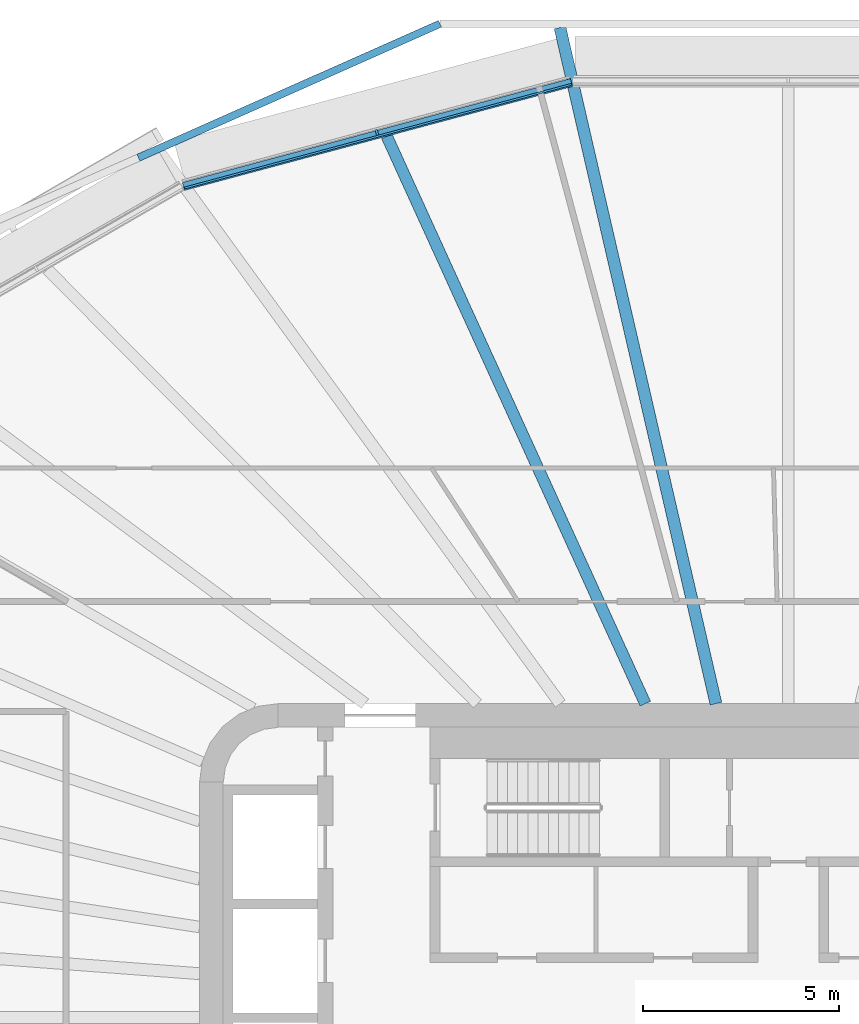
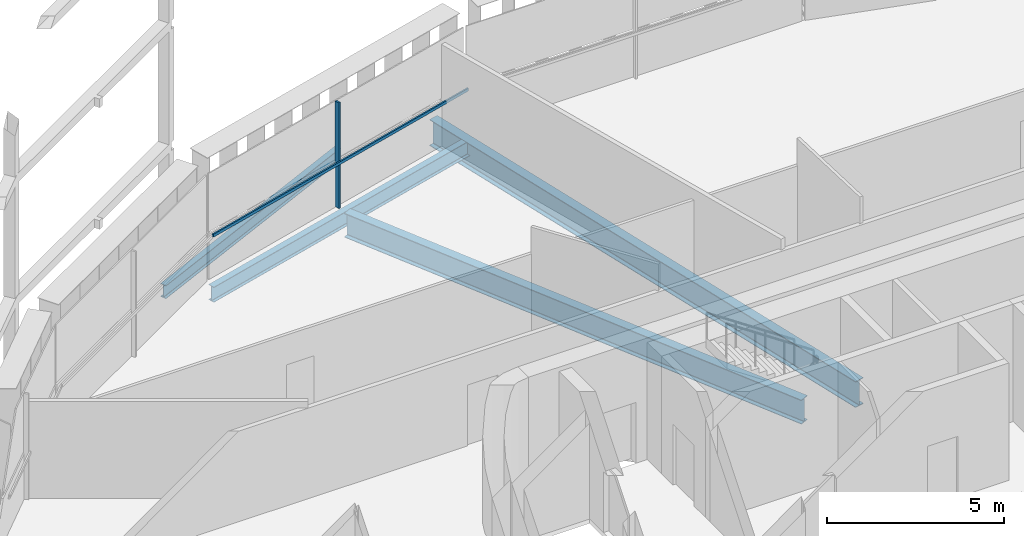
# One storey, part 8 of 26: 4 beams, 2 members, 1 element without a shape of its own.
"""IFC4 building model written with IfcOpenShell, lengths in metres."""

from ifc_helpers import new_model, si_unit, direction, frame, origin, origin_2d, place, context, subcontext, project, spatial, rectangle, i_section, extrude, material, layer, layer_set, material_profile, profile_set, type_object, element, aggregate, save


model = new_model("IFC4")

# Units and contexts
model_context = context("Model", 3, precision=1e-05, world=origin(), true_north=direction((0.0, 1.0)))
body_context = subcontext(model_context, "Body", "Model", "MODEL_VIEW")
ifc_project = project(units=[si_unit("LENGTHUNIT", "METRE"), si_unit("AREAUNIT", "SQUARE_METRE"), si_unit("VOLUMEUNIT", "CUBIC_METRE"), si_unit("PLANEANGLEUNIT", "RADIAN"), si_unit("MASSUNIT", "GRAM", prefix="KILO")], contexts=[model_context])

# Site, building, storey
site_placement = place(None, origin())
site = spatial("IfcSite", under=ifc_project, at=site_placement, CompositionType="ELEMENT")
building_placement = place(site_placement, origin())
building = spatial("IfcBuilding", under=site, at=building_placement, Name="Sahrelin Media Tower", CompositionType="ELEMENT")
storey_placement = place(building_placement, frame((0.0, 0.0, 102.0)))
storey = spatial("IfcBuildingStorey", under=building, at=storey_placement, Name="L19", CompositionType="ELEMENT", Elevation=102.0)

# Beam
ifc_material_1 = material(Name="Steel S355", Category="steel")
ifc_material_profile_1 = material_profile(ifc_material_1, i_section(OverallWidth=0.208740234375, OverallDepth=0.5283203125, WebThickness=0.009521484375, FlangeThickness=0.01318359375, FilletRadius=0.0126953125, at=origin_2d()), Name="UB 533x210x82")
ifc_profile_set_1 = profile_set([ifc_material_profile_1], Name="Steel S355")
beam_type_1 = type_object("IfcBeamType", Name="Edge beam EB6", PredefinedType="BEAM", material=ifc_profile_set_1)
beam_1_placement = place(storey_placement, frame((-15.41162109375, 21.17431640625, -0.414306640625), z_axis=(0.965929419345, 0.258805635261, 0.0), x_axis=(-0.258805635261, 0.965929419345, 0.0)))
element("IfcBeam", 1, at=beam_1_placement, inside=storey, type_object=beam_type_1, Name="Edge beam L19-18", PredefinedType="BEAM", context=body_context, shape_type="SweptSolid", body=[
    extrude(i_section(OverallWidth=0.208740234375, OverallDepth=0.5283203125, WebThickness=0.009521484375, FlangeThickness=0.01318359375, FilletRadius=0.0126953125, at=origin_2d()), origin(), (0.0, 0.0, 1.0), 10.235107421875),
])

# Curtain wall, member
ifc_material_2 = material(Name="Champagne anodised aluminium 6063-T6", Category="aluminium")
ifc_layer = layer(ifc_material_2, 0.14990234375)
ifc_layer_set = layer_set([ifc_layer], Name="Tower ribbon curtain wall")
curtain_wall_type = type_object("IfcCurtainWallType", Name="Tower ribbon curtain wall", PredefinedType="NOTDEFINED", material=ifc_layer_set)
curtain_wall_placement = place(storey_placement, frame((-10.50732421875, 22.643798828125, 0.0), z_axis=(0.0, 0.0, 1.0), x_axis=(1.0, 0.0, 0.0)))
curtain_wall = element("IfcCurtainWall", 2, at=curtain_wall_placement, inside=storey, type_object=curtain_wall_type, Name="L19:CW:L19-07", PredefinedType="NOTDEFINED")
ifc_material_profile_2 = material_profile(ifc_material_2, rectangle(XDim=0.06005859375, YDim=0.14990234375, at=origin_2d()), Name="Mullion 60x150")
ifc_profile_set_2 = profile_set([ifc_material_profile_2], Name="Champagne anodised aluminium 6063-T6")
member_type_1 = type_object("IfcMemberType", Name="Mullion 60x150 CW1", PredefinedType="MULLION", material=ifc_profile_set_2)
member_1_placement = place(storey_placement, frame((-10.482666015625, 22.552001953125, 0.0), z_axis=(0.0, 0.0, 1.0), x_axis=(-0.965926278012, -0.258817359244, 0.0)))
member_1 = element("IfcMember", 3, at=member_1_placement, type_object=member_type_1, Name="L19:CWM:L19-07", PredefinedType="MULLION", context=body_context, shape_type="SweptSolid", body=[
    extrude(rectangle(XDim=0.06005859375, YDim=0.14990234375, at=origin_2d()), origin(), (0.0, 0.0, 1.0), 3.648681640625),
])

# Beams
ifc_material_profile_3 = material_profile(ifc_material_1, i_section(OverallWidth=0.30322265625, OverallDepth=0.903076171875, WebThickness=0.01513671875, FlangeThickness=0.020263671875, FilletRadius=0.01904296875, at=origin_2d()), Name="UB 914x305x201")
ifc_profile_set_3 = profile_set([ifc_material_profile_3], Name="Steel S355")
beam_type_2 = type_object("IfcBeamType", Name="Radial primary beam PB11", PredefinedType="BEAM", material=ifc_profile_set_3)
beam_2_placement = place(storey_placement, frame((-1.845458984375, 8.0, -0.6015625), z_axis=(-0.224765702956, 0.974412837957, 0.0), x_axis=(-0.974412837957, -0.224765702956, 0.0)))
element("IfcBeam", 4, at=beam_2_placement, inside=storey, type_object=beam_type_2, Name="Radial beam L19-07", PredefinedType="BEAM", context=body_context, shape_type="SweptSolid", body=[
    extrude(i_section(OverallWidth=0.30322265625, OverallDepth=0.903076171875, WebThickness=0.01513671875, FlangeThickness=0.020263671875, FilletRadius=0.01904296875, at=origin_2d()), origin(), (0.0, 0.0, 1.0), 17.677978515625),
])
ifc_material_profile_4 = material_profile(ifc_material_1, i_section(OverallWidth=0.291748046875, OverallDepth=0.8349609375, WebThickness=0.013916015625, FlangeThickness=0.018798828125, FilletRadius=0.017822265625, at=origin_2d()), Name="UB 838x292x176")
ifc_profile_set_4 = profile_set([ifc_material_profile_4], Name="Steel S355")
beam_type_3 = type_object("IfcBeamType", Name="Radial secondary beam SB10", PredefinedType="BEAM", material=ifc_profile_set_4)
beam_3_placement = place(storey_placement, frame((-3.64501953125, 8.0, -0.5673828125), z_axis=(-0.414626132753, 0.909991851633, 0.0), x_axis=(-0.909991851633, -0.414626132753, 0.0)))
element("IfcBeam", 5, at=beam_3_placement, inside=storey, type_object=beam_type_3, Name="Secondary beam L19-07", PredefinedType="BEAM", context=body_context, shape_type="SweptSolid", body=[
    extrude(i_section(OverallWidth=0.291748046875, OverallDepth=0.8349609375, WebThickness=0.013916015625, FlangeThickness=0.018798828125, FilletRadius=0.017822265625, at=origin_2d()), origin(), (0.0, 0.0, 1.0), 15.884033203125),
])
ifc_material_profile_5 = material_profile(ifc_material_1, i_section(OverallWidth=0.1904296875, OverallDepth=0.45703125, WebThickness=0.009033203125, FlangeThickness=0.014404296875, FilletRadius=0.01025390625, at=origin_2d()), Name="UB 457x191x74")
ifc_profile_set_5 = profile_set([ifc_material_profile_5], Name="Steel S355")
beam_type_4 = type_object("IfcBeamType", Name="Tie chord TC5", PredefinedType="BEAM", material=ifc_profile_set_5)
beam_4_placement = place(storey_placement, frame((-16.55615234375, 21.90771484375, -0.37841796875), z_axis=(0.913854661009, 0.406041449304, 0.0), x_axis=(-0.406041449304, 0.913854661009, 0.0)))
element("IfcBeam", 6, at=beam_4_placement, inside=storey, type_object=beam_type_4, Name="Tie chord L19-15", PredefinedType="BEAM", context=body_context, shape_type="SweptSolid", body=[
    extrude(i_section(OverallWidth=0.1904296875, OverallDepth=0.45703125, WebThickness=0.009033203125, FlangeThickness=0.014404296875, FilletRadius=0.01025390625, at=origin_2d()), origin(), (0.0, 0.0, 1.0), 8.40576171875),
])

# Member
ifc_material_profile_6 = material_profile(ifc_material_2, rectangle(XDim=0.050048828125, YDim=0.10009765625, at=origin_2d()), Name="Transom 50x100")
ifc_profile_set_6 = profile_set([ifc_material_profile_6], Name="Champagne anodised aluminium 6063-T6")
member_type_2 = type_object("IfcMemberType", Name="Transom 50x100 CW1", PredefinedType="USERDEFINED", material=ifc_profile_set_6)
member_2_placement = place(storey_placement, frame((-5.52880859375, 23.77587890625, 1.60009765625), z_axis=(-0.965926477685, -0.258816614048, 0.0), x_axis=(0.258816614048, -0.965926477685, 0.0)))
member_2 = element("IfcMember", 7, at=member_2_placement, type_object=member_type_2, Name="L19:CWT:L19-07", ObjectType="TRANSOM", PredefinedType="USERDEFINED", context=body_context, shape_type="SweptSolid", body=[
    extrude(rectangle(XDim=0.050048828125, YDim=0.10009765625, at=origin_2d()), origin(), (0.0, 0.0, 1.0), 10.20361328125),
])

aggregate(curtain_wall, [member_1, member_2])

save(model, "model.ifc")
